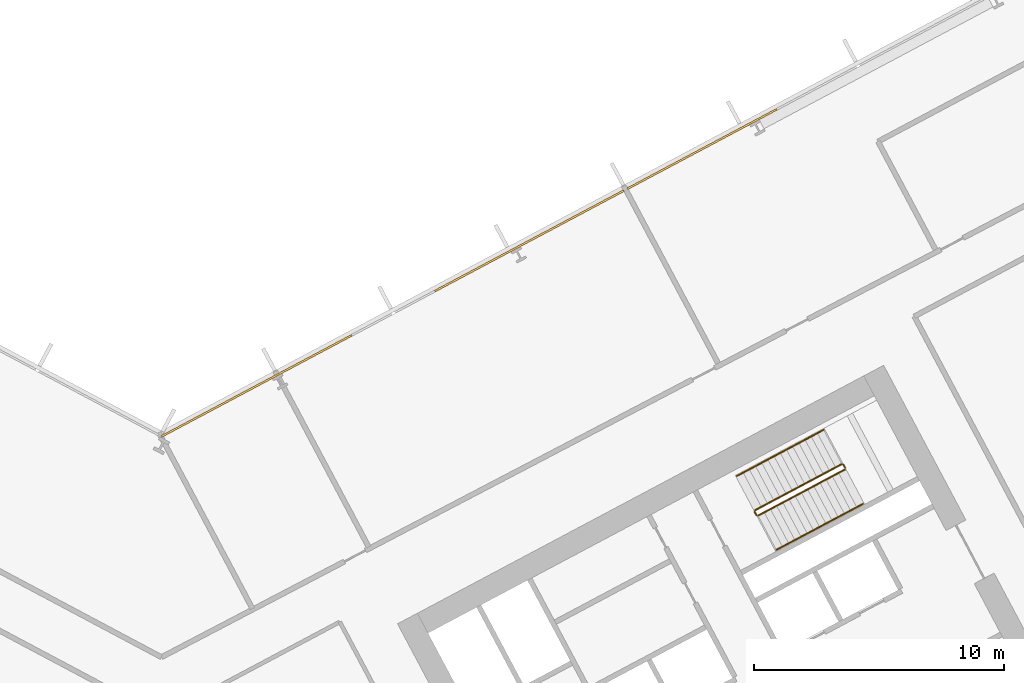
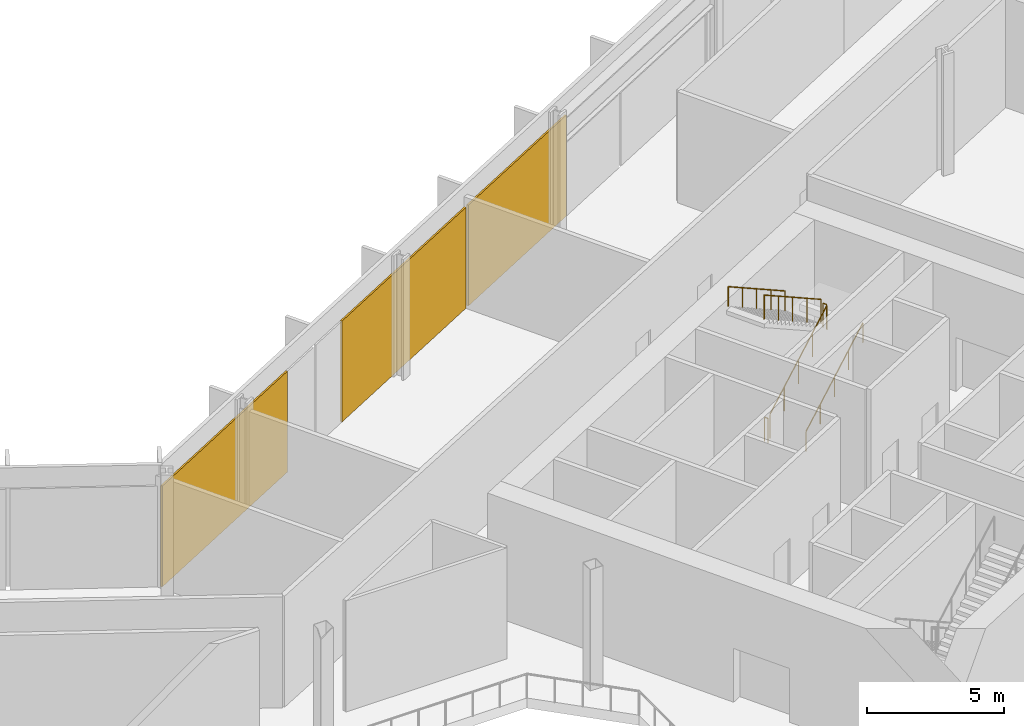
# One storey, part 29 of 32: 6 railings, 3 coverings, 1 element without a shape of its own.
"""IFC4 building model written with IfcOpenShell, lengths in metres."""

from ifc_helpers import new_model, si_unit, direction, frame, origin, origin_2d, place, context, subcontext, project, spatial, polyline, rectangle, outline, extrude, material, layer, layer_set, type_object, element, aggregate, save


model = new_model("IFC4")

# Units and contexts
model_context = context("Model", 3, precision=1e-05, world=origin(), true_north=direction((0.0, 1.0)))
body_context = subcontext(model_context, "Body", "Model", "MODEL_VIEW")
ifc_project = project(units=[si_unit("LENGTHUNIT", "METRE"), si_unit("AREAUNIT", "SQUARE_METRE"), si_unit("VOLUMEUNIT", "CUBIC_METRE"), si_unit("PLANEANGLEUNIT", "RADIAN"), si_unit("MASSUNIT", "GRAM", prefix="KILO")], contexts=[model_context])

# Site, building, storey
site_placement = place(None, origin())
site = spatial("IfcSite", under=ifc_project, at=site_placement, CompositionType="ELEMENT")
building_placement = place(site_placement, origin())
building = spatial("IfcBuilding", under=site, at=building_placement, Name="Cormorant Relay Tower", CompositionType="ELEMENT")
storey_placement = place(building_placement, frame((0.0, 0.0, 17.60009765625)))
storey = spatial("IfcBuildingStorey", under=building, at=storey_placement, Name="L03", CompositionType="ELEMENT", Elevation=17.60009765625)

# Curtain wall, coverings
ifc_material_1 = material(Name="Aluminium 6063-T6 anodised bronze", Category="aluminium")
ifc_layer_1 = layer(ifc_material_1, 0.235107421875)
ifc_layer_set_1 = layer_set([ifc_layer_1], Name="CW6 data hall curtain wall with mineral wool panels")
curtain_wall_type = type_object("IfcCurtainWallType", Name="CW6 data hall curtain wall with mineral wool panels", PredefinedType="NOTDEFINED", material=ifc_layer_set_1)
curtain_wall_placement = place(storey_placement, origin())
curtain_wall = element("IfcCurtainWall", 1, at=curtain_wall_placement, inside=storey, type_object=curtain_wall_type, Name="CW6 curtain wall 6", PredefinedType="NOTDEFINED")
ifc_material_2 = material(Name="Mineral wool cored anodised bronze aluminium cassette panel", Category="aluminium")
ifc_layer_2 = layer(ifc_material_2, 0.074951171875)
ifc_layer_set_2 = layer_set([ifc_layer_2], Name="CW6 mineral wool cassette panel 75")
covering_type = type_object("IfcCoveringType", Name="CW6 mineral wool cassette panel 75", PredefinedType="CLADDING", material=ifc_layer_set_2)
covering_1_placement = place(storey_placement, frame((21.604248046875, 35.313720703125, 0.0), z_axis=(0.0, 0.0, 1.0), x_axis=(-0.882947592859, -0.469471562786, 0.0)))
covering_1 = element("IfcCovering", 2, at=covering_1_placement, type_object=covering_type, Name="CW6 panel S05", PredefinedType="CLADDING", context=body_context, shape_type="SweptSolid", body=[
    extrude(rectangle(XDim=6.765380859375, YDim=0.074951171875, at=origin_2d()), origin(), (0.0, 0.0, 1.0), 4.5),
])
covering_2_placement = place(storey_placement, frame((14.70361328125, 31.64453125, 0.0), z_axis=(0.0, 0.0, 1.0), x_axis=(-0.882947592859, -0.469471562786, 0.0)))
covering_2 = element("IfcCovering", 3, at=covering_2_placement, type_object=covering_type, Name="CW6 panel S06", PredefinedType="CLADDING", context=body_context, shape_type="SweptSolid", body=[
    extrude(rectangle(XDim=8.565185546875, YDim=0.074951171875, at=origin_2d()), origin(), (0.0, 0.0, 1.0), 4.5),
])
covering_3_placement = place(storey_placement, frame((3.796875, 25.84521484375, 0.0), z_axis=(0.0, 0.0, 1.0), x_axis=(-0.882947592859, -0.469471562786, 0.0)))
covering_3 = element("IfcCovering", 4, at=covering_3_placement, type_object=covering_type, Name="CW6 panel S09", PredefinedType="CLADDING", context=body_context, shape_type="SweptSolid", body=[
    extrude(rectangle(XDim=8.640380859375, YDim=0.074951171875, at=origin_2d()), origin(), (0.0, 0.0, 1.0), 4.5),
])
aggregate(curtain_wall, [covering_1, covering_2, covering_3])

# Railings
ifc_material_3 = material(Name="Steel ASTM A572 Grade 50 (Fy 345 MPa)", Category="steel")
railing_type_1 = type_object("IfcRailingType", Name="Stair guard 1100", PredefinedType="GUARDRAIL", material=ifc_material_3)
railing_1_placement = place(storey_placement, frame((23.8408203125, 20.6611328125, 0.179931640625)))
element("IfcRailing", 5, at=railing_1_placement, inside=storey, type_object=railing_type_1, Name="L03 B2 stair guard 1", PredefinedType="GUARDRAIL", context=body_context, shape_type="SweptSolid", body=[
    extrude(outline(polyline([(0.022216796875, 0.00927734375), (0.00927734375, 0.022216796875), (-0.00927734375, 0.022216796875), (-0.022216796875, 0.00927734375), (-0.022216796875, -0.00927734375), (-0.00927734375, -0.022216796875), (0.00927734375, -0.022216796875), (0.022216796875, -0.00927734375), (0.022216796875, 0.00927734375)])), frame((0.0, 0.0, 1.076171875), z_axis=(0.74271721126, 0.394907409077, 0.540758062681), x_axis=(-0.469469396681, 0.882948744594, 0.0)), (0.0, 0.0, 1.0), 4.66015625),
    extrude(outline(polyline([(0.019287109375, 0.008056640625), (0.008056640625, 0.019287109375), (-0.008056640625, 0.019287109375), (-0.019287109375, 0.008056640625), (-0.019287109375, -0.008056640625), (-0.008056640625, -0.019287109375), (0.008056640625, -0.019287109375), (0.019287109375, -0.008056640625), (0.019287109375, 0.008056640625)])), origin(), (0.0, 0.0, 1.0), 1.052001953125),
    extrude(outline(polyline([(0.019287109375, 0.008056640625), (0.008056640625, 0.019287109375), (-0.008056640625, 0.019287109375), (-0.019287109375, 0.008056640625), (-0.019287109375, -0.008056640625), (-0.008056640625, -0.019287109375), (0.008056640625, -0.019287109375), (0.019287109375, -0.008056640625), (0.019287109375, 0.008056640625)])), frame((0.865234375, 0.4599609375, 0.6298828125)), (0.0, 0.0, 1.0), 1.052001953125),
    extrude(outline(polyline([(0.019287109375, 0.008056640625), (0.008056640625, 0.019287109375), (-0.008056640625, 0.019287109375), (-0.019287109375, 0.008056640625), (-0.019287109375, -0.008056640625), (-0.008056640625, -0.019287109375), (0.008056640625, -0.019287109375), (0.019287109375, -0.008056640625), (0.019287109375, 0.008056640625)])), frame((1.73046875, 0.920166015625, 1.260009765625)), (0.0, 0.0, 1.0), 1.052001953125),
    extrude(outline(polyline([(0.019287109375, 0.008056640625), (0.008056640625, 0.019287109375), (-0.008056640625, 0.019287109375), (-0.019287109375, 0.008056640625), (-0.019287109375, -0.008056640625), (-0.008056640625, -0.019287109375), (0.008056640625, -0.019287109375), (0.019287109375, -0.008056640625), (0.019287109375, 0.008056640625)])), frame((2.595947265625, 1.38037109375, 1.89013671875)), (0.0, 0.0, 1.0), 1.052001953125),
    extrude(outline(polyline([(0.019287109375, 0.008056640625), (0.008056640625, 0.019287109375), (-0.008056640625, 0.019287109375), (-0.019287109375, 0.008056640625), (-0.019287109375, -0.008056640625), (-0.008056640625, -0.019287109375), (0.008056640625, -0.019287109375), (0.019287109375, -0.008056640625), (0.019287109375, 0.008056640625)])), frame((3.461181640625, 1.84033203125, 2.52001953125)), (0.0, 0.0, 1.0), 1.052001953125),
])
railing_2_placement = place(storey_placement, frame((27.32275390625, 22.569091796875, 2.699951171875)))
element("IfcRailing", 6, at=railing_2_placement, inside=storey, type_object=railing_type_1, Name="L03 B2 stair guard 2", PredefinedType="GUARDRAIL", context=body_context, shape_type="SweptSolid", body=[
    extrude(outline(polyline([(0.022216796875, 0.00927734375), (0.00927734375, 0.022216796875), (-0.00927734375, 0.022216796875), (-0.022216796875, 0.00927734375), (-0.022216796875, -0.00927734375), (-0.00927734375, -0.022216796875), (0.00927734375, -0.022216796875), (0.022216796875, -0.00927734375), (0.022216796875, 0.00927734375)])), frame((0.0, 0.0, 1.076171875), z_axis=(-0.470503732759, 0.882398003998, 0.0), x_axis=(-0.882398003998, -0.470503732759, 0.0)), (0.0, 0.0, 1.0), 0.14990234375),
    extrude(outline(polyline([(0.019287109375, 0.008056640625), (0.008056640625, 0.019287109375), (-0.008056640625, 0.019287109375), (-0.019287109375, 0.008056640625), (-0.019287109375, -0.008056640625), (-0.008056640625, -0.019287109375), (0.008056640625, -0.019287109375), (0.019287109375, -0.008056640625), (0.019287109375, 0.008056640625)])), origin(), (0.0, 0.0, 1.0), 1.052001953125),
    extrude(outline(polyline([(0.019287109375, 0.008056640625), (0.008056640625, 0.019287109375), (-0.008056640625, 0.019287109375), (-0.019287109375, 0.008056640625), (-0.019287109375, -0.008056640625), (-0.008056640625, -0.019287109375), (0.008056640625, -0.019287109375), (0.019287109375, -0.008056640625), (0.019287109375, 0.008056640625)])), frame((-0.070556640625, 0.13232421875, 0.0)), (0.0, 0.0, 1.0), 1.052001953125),
])
railing_3_placement = place(storey_placement, frame((27.1845703125, 22.72216796875, 2.8798828125)))
element("IfcRailing", 7, at=railing_3_placement, inside=storey, type_object=railing_type_1, Name="L03 B2 stair guard 3", PredefinedType="GUARDRAIL", context=body_context, shape_type="SweptSolid", body=[
    extrude(outline(polyline([(0.022216796875, 0.00927734375), (0.00927734375, 0.022216796875), (-0.00927734375, 0.022216796875), (-0.022216796875, 0.00927734375), (-0.022216796875, -0.00927734375), (-0.00927734375, -0.022216796875), (0.00927734375, -0.022216796875), (0.022216796875, -0.00927734375), (0.022216796875, 0.00927734375)])), frame((0.0, 0.0, 1.076171875), z_axis=(-0.74271721126, -0.394907409077, 0.540758062681), x_axis=(0.469469396681, -0.882948744594, 0.0)), (0.0, 0.0, 1.0), 4.66015625),
    extrude(outline(polyline([(0.019287109375, 0.008056640625), (0.008056640625, 0.019287109375), (-0.008056640625, 0.019287109375), (-0.019287109375, 0.008056640625), (-0.019287109375, -0.008056640625), (-0.008056640625, -0.019287109375), (0.008056640625, -0.019287109375), (0.019287109375, -0.008056640625), (0.019287109375, 0.008056640625)])), origin(), (0.0, 0.0, 1.0), 1.052001953125),
    extrude(outline(polyline([(0.019287109375, 0.008056640625), (0.008056640625, 0.019287109375), (-0.008056640625, 0.019287109375), (-0.019287109375, 0.008056640625), (-0.019287109375, -0.008056640625), (-0.008056640625, -0.019287109375), (0.008056640625, -0.019287109375), (0.019287109375, -0.008056640625), (0.019287109375, 0.008056640625)])), frame((-0.865234375, -0.4599609375, 0.6298828125)), (0.0, 0.0, 1.0), 1.052001953125),
    extrude(outline(polyline([(0.019287109375, 0.008056640625), (0.008056640625, 0.019287109375), (-0.008056640625, 0.019287109375), (-0.019287109375, 0.008056640625), (-0.019287109375, -0.008056640625), (-0.008056640625, -0.019287109375), (0.008056640625, -0.019287109375), (0.019287109375, -0.008056640625), (0.019287109375, 0.008056640625)])), frame((-1.73046875, -0.920166015625, 1.260009765625)), (0.0, 0.0, 1.0), 1.052001953125),
    extrude(outline(polyline([(0.019287109375, 0.008056640625), (0.008056640625, 0.019287109375), (-0.008056640625, 0.019287109375), (-0.019287109375, 0.008056640625), (-0.019287109375, -0.008056640625), (-0.008056640625, -0.019287109375), (0.008056640625, -0.019287109375), (0.019287109375, -0.008056640625), (0.019287109375, 0.008056640625)])), frame((-2.595947265625, -1.38037109375, 1.89013671875)), (0.0, 0.0, 1.0), 1.052001953125),
    extrude(outline(polyline([(0.019287109375, 0.008056640625), (0.008056640625, 0.019287109375), (-0.008056640625, 0.019287109375), (-0.019287109375, 0.008056640625), (-0.019287109375, -0.008056640625), (-0.008056640625, -0.019287109375), (0.008056640625, -0.019287109375), (0.019287109375, -0.008056640625), (0.019287109375, 0.008056640625)])), frame((-3.461181640625, -1.84033203125, 2.52001953125)), (0.0, 0.0, 1.0), 1.052001953125),
])
railing_4_placement = place(storey_placement, frame((23.773193359375, 20.681640625, 0.0)))
element("IfcRailing", 8, at=railing_4_placement, inside=storey, type_object=railing_type_1, Name="L03 B2 stair guard 4", PredefinedType="GUARDRAIL", context=body_context, shape_type="SweptSolid", body=[
    extrude(outline(polyline([(0.022216796875, 0.00927734375), (0.00927734375, 0.022216796875), (-0.00927734375, 0.022216796875), (-0.022216796875, 0.00927734375), (-0.022216796875, -0.00927734375), (-0.00927734375, -0.022216796875), (0.00927734375, -0.022216796875), (0.022216796875, -0.00927734375), (0.022216796875, 0.00927734375)])), frame((0.0, 0.0, 1.076171875), z_axis=(-0.46856034887, 0.8834314911, 0.0), x_axis=(-0.8834314911, -0.46856034887, 0.0)), (0.0, 0.0, 1.0), 0.150146484375),
    extrude(outline(polyline([(0.019287109375, 0.008056640625), (0.008056640625, 0.019287109375), (-0.008056640625, 0.019287109375), (-0.019287109375, 0.008056640625), (-0.019287109375, -0.008056640625), (-0.008056640625, -0.019287109375), (0.008056640625, -0.019287109375), (0.019287109375, -0.008056640625), (0.019287109375, 0.008056640625)])), origin(), (0.0, 0.0, 1.0), 1.052001953125),
    extrude(outline(polyline([(0.019287109375, 0.008056640625), (0.008056640625, 0.019287109375), (-0.008056640625, 0.019287109375), (-0.019287109375, 0.008056640625), (-0.019287109375, -0.008056640625), (-0.008056640625, -0.019287109375), (0.008056640625, -0.019287109375), (0.019287109375, -0.008056640625), (0.019287109375, 0.008056640625)])), frame((-0.0703125, 0.132568359375, 0.0)), (0.0, 0.0, 1.0), 1.052001953125),
])
ifc_material_4 = material(Name="Steel ASTM A572 Grade 50 (Fy 345 MPa)", Category="steel")
railing_type_2 = type_object("IfcRailingType", Name="Stair handrail 900", PredefinedType="HANDRAIL", material=ifc_material_4)
railing_5_placement = place(storey_placement, frame((24.568603515625, 19.29248046875, 0.179931640625)))
element("IfcRailing", 9, at=railing_5_placement, inside=storey, type_object=railing_type_2, Name="L03 B2 stair handrail 1", PredefinedType="HANDRAIL", context=body_context, shape_type="SweptSolid", body=[
    extrude(outline(polyline([(0.022216796875, 0.00927734375), (0.00927734375, 0.022216796875), (-0.00927734375, 0.022216796875), (-0.022216796875, 0.00927734375), (-0.022216796875, -0.00927734375), (-0.00927734375, -0.022216796875), (0.00927734375, -0.022216796875), (0.022216796875, -0.00927734375), (0.022216796875, 0.00927734375)])), frame((0.0, 0.0, 0.8759765625), z_axis=(0.74271721126, 0.394907409077, 0.540758062681), x_axis=(-0.469469396681, 0.882948744594, 0.0)), (0.0, 0.0, 1.0), 4.66015625),
    extrude(outline(polyline([(0.019287109375, 0.008056640625), (0.008056640625, 0.019287109375), (-0.008056640625, 0.019287109375), (-0.019287109375, 0.008056640625), (-0.019287109375, -0.008056640625), (-0.008056640625, -0.019287109375), (0.008056640625, -0.019287109375), (0.019287109375, -0.008056640625), (0.019287109375, 0.008056640625)])), origin(), (0.0, 0.0, 1.0), 0.851806640625),
    extrude(outline(polyline([(0.019287109375, 0.008056640625), (0.008056640625, 0.019287109375), (-0.008056640625, 0.019287109375), (-0.019287109375, 0.008056640625), (-0.019287109375, -0.008056640625), (-0.008056640625, -0.019287109375), (0.008056640625, -0.019287109375), (0.019287109375, -0.008056640625), (0.019287109375, 0.008056640625)])), frame((0.865234375, 0.4599609375, 0.6298828125)), (0.0, 0.0, 1.0), 0.851806640625),
    extrude(outline(polyline([(0.019287109375, 0.008056640625), (0.008056640625, 0.019287109375), (-0.008056640625, 0.019287109375), (-0.019287109375, 0.008056640625), (-0.019287109375, -0.008056640625), (-0.008056640625, -0.019287109375), (0.008056640625, -0.019287109375), (0.019287109375, -0.008056640625), (0.019287109375, 0.008056640625)])), frame((1.73046875, 0.920166015625, 1.260009765625)), (0.0, 0.0, 1.0), 0.851806640625),
    extrude(outline(polyline([(0.019287109375, 0.008056640625), (0.008056640625, 0.019287109375), (-0.008056640625, 0.019287109375), (-0.019287109375, 0.008056640625), (-0.019287109375, -0.008056640625), (-0.008056640625, -0.019287109375), (0.008056640625, -0.019287109375), (0.019287109375, -0.008056640625), (0.019287109375, 0.008056640625)])), frame((2.595947265625, 1.38037109375, 1.89013671875)), (0.0, 0.0, 1.0), 0.851806640625),
    extrude(outline(polyline([(0.019287109375, 0.008056640625), (0.008056640625, 0.019287109375), (-0.008056640625, 0.019287109375), (-0.019287109375, 0.008056640625), (-0.019287109375, -0.008056640625), (-0.008056640625, -0.019287109375), (0.008056640625, -0.019287109375), (0.019287109375, -0.008056640625), (0.019287109375, 0.008056640625)])), frame((3.461181640625, 1.84033203125, 2.52001953125)), (0.0, 0.0, 1.0), 0.851806640625),
])
railing_6_placement = place(storey_placement, frame((26.45703125, 24.090576171875, 2.8798828125)))
element("IfcRailing", 10, at=railing_6_placement, inside=storey, type_object=railing_type_2, Name="L03 B2 stair handrail 2", PredefinedType="HANDRAIL", context=body_context, shape_type="SweptSolid", body=[
    extrude(outline(polyline([(0.022216796875, 0.00927734375), (0.00927734375, 0.022216796875), (-0.00927734375, 0.022216796875), (-0.022216796875, 0.00927734375), (-0.022216796875, -0.00927734375), (-0.00927734375, -0.022216796875), (0.00927734375, -0.022216796875), (0.022216796875, -0.00927734375), (0.022216796875, 0.00927734375)])), frame((0.0, 0.0, 0.8759765625), z_axis=(-0.74271721126, -0.394907409077, 0.540758062681), x_axis=(0.469469396681, -0.882948744594, 0.0)), (0.0, 0.0, 1.0), 4.66015625),
    extrude(outline(polyline([(0.019287109375, 0.008056640625), (0.008056640625, 0.019287109375), (-0.008056640625, 0.019287109375), (-0.019287109375, 0.008056640625), (-0.019287109375, -0.008056640625), (-0.008056640625, -0.019287109375), (0.008056640625, -0.019287109375), (0.019287109375, -0.008056640625), (0.019287109375, 0.008056640625)])), origin(), (0.0, 0.0, 1.0), 0.851806640625),
    extrude(outline(polyline([(0.019287109375, 0.008056640625), (0.008056640625, 0.019287109375), (-0.008056640625, 0.019287109375), (-0.019287109375, 0.008056640625), (-0.019287109375, -0.008056640625), (-0.008056640625, -0.019287109375), (0.008056640625, -0.019287109375), (0.019287109375, -0.008056640625), (0.019287109375, 0.008056640625)])), frame((-0.865234375, -0.4599609375, 0.6298828125)), (0.0, 0.0, 1.0), 0.851806640625),
    extrude(outline(polyline([(0.019287109375, 0.008056640625), (0.008056640625, 0.019287109375), (-0.008056640625, 0.019287109375), (-0.019287109375, 0.008056640625), (-0.019287109375, -0.008056640625), (-0.008056640625, -0.019287109375), (0.008056640625, -0.019287109375), (0.019287109375, -0.008056640625), (0.019287109375, 0.008056640625)])), frame((-1.73046875, -0.920166015625, 1.260009765625)), (0.0, 0.0, 1.0), 0.851806640625),
    extrude(outline(polyline([(0.019287109375, 0.008056640625), (0.008056640625, 0.019287109375), (-0.008056640625, 0.019287109375), (-0.019287109375, 0.008056640625), (-0.019287109375, -0.008056640625), (-0.008056640625, -0.019287109375), (0.008056640625, -0.019287109375), (0.019287109375, -0.008056640625), (0.019287109375, 0.008056640625)])), frame((-2.595947265625, -1.38037109375, 1.89013671875)), (0.0, 0.0, 1.0), 0.851806640625),
    extrude(outline(polyline([(0.019287109375, 0.008056640625), (0.008056640625, 0.019287109375), (-0.008056640625, 0.019287109375), (-0.019287109375, 0.008056640625), (-0.019287109375, -0.008056640625), (-0.008056640625, -0.019287109375), (0.008056640625, -0.019287109375), (0.019287109375, -0.008056640625), (0.019287109375, 0.008056640625)])), frame((-3.461181640625, -1.84033203125, 2.52001953125)), (0.0, 0.0, 1.0), 0.851806640625),
])

save(model, "model.ifc")
